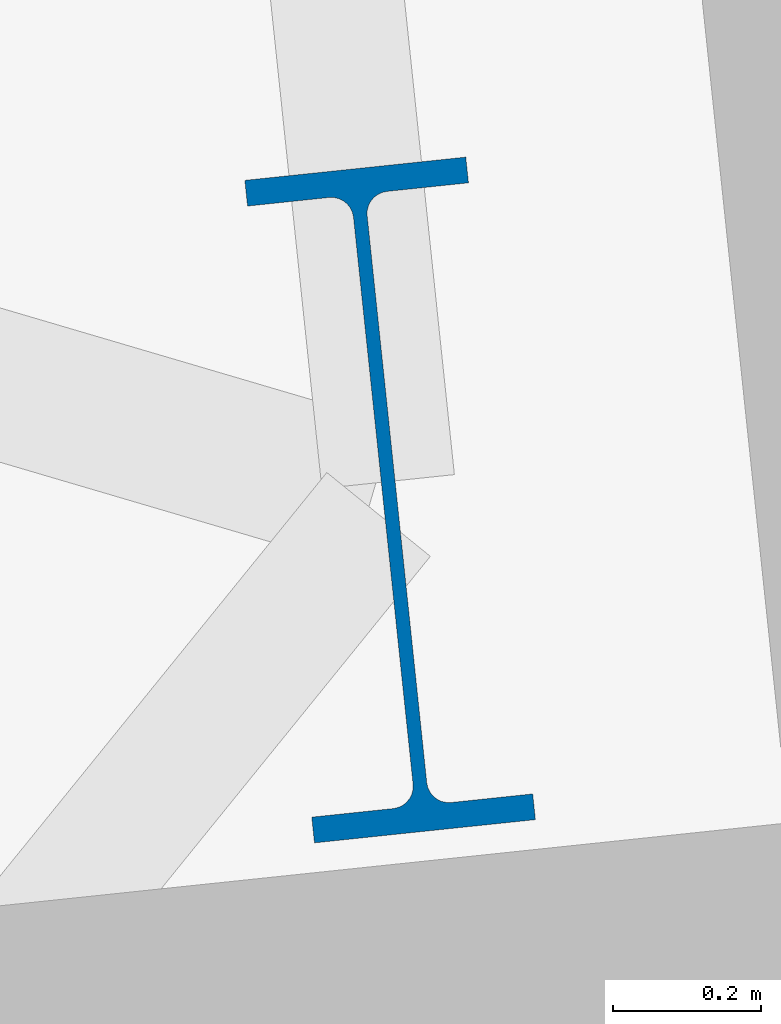
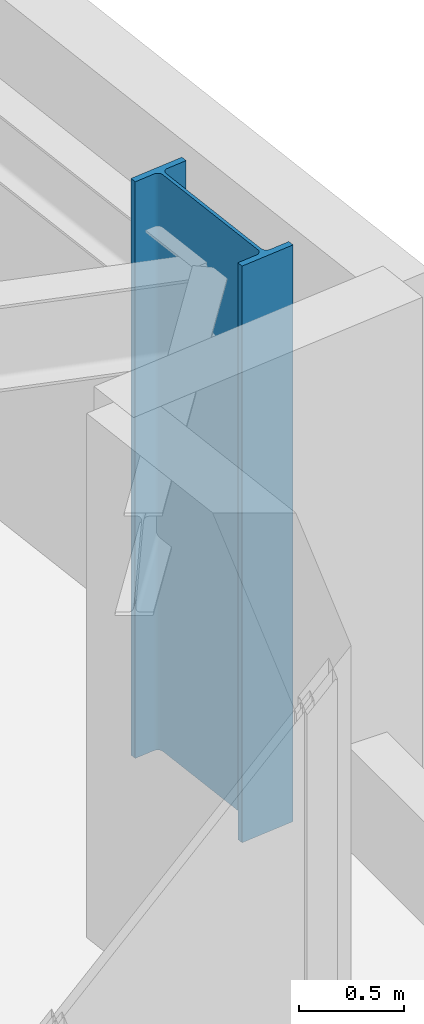
# One storey, part 3 of 20: 1 column.
"""IFC4 building model written with IfcOpenShell, lengths in metres."""

import ifcopenshell
import ifcopenshell.guid

model = None  # the IFC model being written
_history = None  # IfcOwnerHistory: only IFC2X3 demands one
_inside = {}  # id of a spatial element -> (the spatial element, [elements in it])
_under = {}  # id of a project, library or spatial element -> (it, [spatial elements below it])
_declared = {}  # id of a project -> (the project, [libraries it declares])
_typed = {}  # id of a type object -> (the type object, [elements of that type])
_made_of = {}  # id of a material, layer set ... -> (it, [elements and type objects made of it])


def new_model(schema):
    """Start an empty IFC model of exactly this schema.

    Asked for "IFC4X3", IfcOpenShell would pick the latest addendum, in which some entities
    have other attributes; the version numbers below select the first issue.
    IFC2X3 requires an IfcOwnerHistory on every rooted entity: one is made here for all.
    """
    global model, _history
    if schema == "IFC4X3":
        model = ifcopenshell.file(schema_version=(4, 3, 0, 0))
    else:
        model = ifcopenshell.file(schema=schema)
    _inside.clear()
    _under.clear()
    _declared.clear()
    _typed.clear()
    _made_of.clear()
    _history = None
    if model.schema == "IFC2X3":
        org = make("IfcOrganization", Name="unknown")
        user = make(
            "IfcPersonAndOrganization",
            ThePerson=make("IfcPerson", FamilyName="unknown"),
            TheOrganization=org,
        )
        app = make(
            "IfcApplication",
            ApplicationDeveloper=org,
            Version="unknown",
            ApplicationFullName="unknown",
            ApplicationIdentifier="unknown",
        )
        _history = make(
            "IfcOwnerHistory",
            OwningUser=user,
            OwningApplication=app,
            ChangeAction="ADDED",
            CreationDate=0,
        )
    return model


def make(cls, **values):
    """One entity of the class cls with the attributes given. An attribute that is None is left unset."""
    return model.create_entity(
        cls, **{name: value for name, value in values.items() if value is not None}
    )


def rooted(cls, **values):
    """An entity with a GlobalId (a new one), such as an element, a storey or a relation."""
    return make(cls, GlobalId=ifcopenshell.guid.new(), OwnerHistory=_history, **values)


def si_unit(unit_type, name, prefix=None):
    """IfcSIUnit, for example si_unit("LENGTHUNIT", "METRE", prefix="MILLI")."""
    return make("IfcSIUnit", UnitType=unit_type, Prefix=prefix, Name=name)


def assignment(units):
    """IfcUnitAssignment: the units of a project."""
    return None if units is None else make("IfcUnitAssignment", Units=units)


def point(xyz):
    """IfcCartesianPoint."""
    return None if xyz is None else make("IfcCartesianPoint", Coordinates=xyz)


def direction(xyz):
    """IfcDirection."""
    return None if xyz is None else make("IfcDirection", DirectionRatios=xyz)


def frame(location, z_axis=None, x_axis=None):
    """IfcAxis2Placement3D, a coordinate frame: its origin and axes. An axis left out is left unset."""
    return make(
        "IfcAxis2Placement3D",
        Location=point(location),
        Axis=direction(z_axis),
        RefDirection=direction(x_axis),
    )


def frame_2d(location, x_axis=None):
    """IfcAxis2Placement2D, a coordinate frame in the plane: its origin and x axis."""
    return make(
        "IfcAxis2Placement2D", Location=point(location), RefDirection=direction(x_axis)
    )


def origin():
    """The frame at (0, 0, 0) with its axes left unset."""
    return frame((0.0, 0.0, 0.0))


def origin_2d():
    """The frame at (0, 0) in the plane with its x axis left unset."""
    return frame_2d((0.0, 0.0))


def place(relative_to, where):
    """IfcLocalPlacement: puts the frame where relative to a parent placement (None: the world)."""
    return make(
        "IfcLocalPlacement", PlacementRelTo=relative_to, RelativePlacement=where
    )


def context(
    kind, dimensions, precision=None, world=None, true_north=None, identifier=None
):
    """IfcGeometricRepresentationContext, for example the 3D "Model" context."""
    return make(
        "IfcGeometricRepresentationContext",
        ContextIdentifier=identifier,
        ContextType=kind,
        CoordinateSpaceDimension=dimensions,
        Precision=precision,
        WorldCoordinateSystem=world,
        TrueNorth=true_north,
    )


def subcontext(parent, identifier, kind, view, scale=None):
    """IfcGeometricRepresentationSubContext, for example "Body" below "Model"."""
    return make(
        "IfcGeometricRepresentationSubContext",
        ContextIdentifier=identifier,
        ContextType=kind,
        ParentContext=parent,
        TargetScale=scale,
        TargetView=view,
    )


def project(units=None, contexts=None):
    """IfcProject with its units and contexts."""
    return rooted(
        "IfcProject",
        Name="project",
        RepresentationContexts=contexts,
        UnitsInContext=assignment(units),
    )


def spatial(cls, under=None, at=None, **own):
    """A site, building, storey or space (cls), placed at a placement, below another one or the project."""
    s = rooted(cls, ObjectPlacement=at, **own)
    if under is not None:
        _under.setdefault(under.id(), (under, []))[1].append(s)
    return s


def profile(cls, at=None, kind="AREA", **sizes):
    """A parametric profile (cls). Its sizes go by their IFC names, for example OverallWidth=200.0."""
    return make(cls, ProfileType=kind, Position=at, **sizes)


def i_section(**sizes):
    """IfcIShapeProfileDef."""
    return profile("IfcIShapeProfileDef", **sizes)


def extrude(swept, where, along, depth):
    """IfcExtrudedAreaSolid: the profile swept, set in the frame where, extruded along a direction by depth."""
    return make(
        "IfcExtrudedAreaSolid",
        SweptArea=swept,
        Position=where,
        ExtrudedDirection=direction(along),
        Depth=depth,
    )


def shape(context_of_items, identifier, shape_type, items):
    """IfcShapeRepresentation: the items that make up one representation, for example the "Body"."""
    return make(
        "IfcShapeRepresentation",
        ContextOfItems=context_of_items,
        RepresentationIdentifier=identifier,
        RepresentationType=shape_type,
        Items=items,
    )


def material(Name=None, Category=None):
    """IfcMaterial."""
    return make("IfcMaterial", Name=Name, Category=Category)


def material_profile(
    of_material, cross_section, Name=None, Category=None, Priority=None
):
    """IfcMaterialProfile: a cross section and its material."""
    return make(
        "IfcMaterialProfile",
        Name=Name,
        Material=of_material,
        Profile=cross_section,
        Priority=Priority,
        Category=Category,
    )


def profile_set(profiles, Name=None, composite=None):
    """IfcMaterialProfileSet."""
    return make(
        "IfcMaterialProfileSet",
        Name=Name,
        MaterialProfiles=profiles,
        CompositeProfile=composite,
    )


def made_of(thing, what):
    """Note that an element or type object is made of a material, layer set ...; save() writes the relation."""
    if what is not None:
        _made_of.setdefault(what.id(), (what, []))[1].append(thing)
    return thing


def type_object(cls, material=None, **own):
    """A type object (cls), such as IfcWallType, which elements share."""
    return made_of(rooted(cls, **own), material)


def element(
    cls,
    number,
    at=None,
    inside=None,
    cuts=None,
    type_object=None,
    material=None,
    context=None,
    identifier="Body",
    shape_type=None,
    held_by="IfcProductDefinitionShape",
    body=None,
    shapes=None,
    **own,
):
    """One element of the class cls, such as IfcWall. Its Tag is "e" and its number.

    at: its placement. inside: the storey or other place that contains it. cuts: it is an
    opening in that element (IfcRelVoidsElement). A single representation is given by context,
    identifier, shape_type and body (its items); several are given by shapes. held_by: the class
    of the entity that holds the representations. save() writes the other relations.
    """
    e = rooted(cls, Tag="e%d" % number, ObjectPlacement=at, **own)
    if body is not None:
        shapes = [shape(context, identifier, shape_type, body)]
    if shapes is not None:
        e.Representation = make(held_by, Representations=shapes)
    if inside is not None:
        _inside.setdefault(inside.id(), (inside, []))[1].append(e)
    if cuts is not None:
        rooted(
            "IfcRelVoidsElement", RelatingBuildingElement=cuts, RelatedOpeningElement=e
        )
    if type_object is not None:
        _typed.setdefault(type_object.id(), (type_object, []))[1].append(e)
    return made_of(e, material)


def aggregate(whole, parts):
    """IfcRelAggregates: a whole, such as a stair, and the parts it consists of."""
    return rooted("IfcRelAggregates", RelatingObject=whole, RelatedObjects=parts)


def save(model, path):
    """Write the relations noted so far, then the file.

    IfcRelAggregates (storeys below a building ...), IfcRelContainedInSpatialStructure (elements
    in a storey), IfcRelDefinesByType, IfcRelAssociatesMaterial and IfcRelDeclares: one each for
    every whole, place, type object, material and project.
    """
    for whole, parts in _under.values():
        aggregate(whole, parts)
    for where, things in _inside.values():
        rooted(
            "IfcRelContainedInSpatialStructure",
            RelatedElements=things,
            RelatingStructure=where,
        )
    for kind, things in _typed.values():
        rooted("IfcRelDefinesByType", RelatedObjects=things, RelatingType=kind)
    for what, things in _made_of.values():
        rooted("IfcRelAssociatesMaterial", RelatedObjects=things, RelatingMaterial=what)
    for by, libraries in _declared.values():
        rooted("IfcRelDeclares", RelatingContext=by, RelatedDefinitions=libraries)
    model.write(path)


model = new_model("IFC4")

# Units and contexts
model_context = context("Model", 3, precision=1e-05, world=origin(), true_north=direction((0.0, 1.0)))
body_context = subcontext(model_context, "Body", "Model", "MODEL_VIEW")
ifc_project = project(units=[si_unit("LENGTHUNIT", "METRE"), si_unit("AREAUNIT", "SQUARE_METRE"), si_unit("VOLUMEUNIT", "CUBIC_METRE"), si_unit("PLANEANGLEUNIT", "RADIAN"), si_unit("MASSUNIT", "GRAM", prefix="KILO")], contexts=[model_context])

# Site, building, storey
site_placement = place(None, origin())
site = spatial("IfcSite", under=ifc_project, at=site_placement, CompositionType="ELEMENT")
building_placement = place(site_placement, origin())
building = spatial("IfcBuilding", under=site, at=building_placement, Name="Qobustan Lattice House", CompositionType="ELEMENT")
storey_placement = place(building_placement, frame((0.0, 0.0, 79.0)))
storey = spatial("IfcBuildingStorey", under=building, at=storey_placement, Name="L21", CompositionType="ELEMENT", Elevation=79.0)

# Column
ifc_material = material(Name="Steel S355", Category="steel")
ifc_material_profile = material_profile(ifc_material, i_section(OverallWidth=0.300048828125, OverallDepth=0.89990234375, WebThickness=0.0185546875, FlangeThickness=0.034912109375, FilletRadius=0.030029296875, at=origin_2d()), Name="HEB900")
ifc_profile_set = profile_set([ifc_material_profile], Name="Steel S355")
column_type = type_object("IfcColumnType", Name="COL-ST-HEB900", PredefinedType="COLUMN", material=ifc_profile_set)
column_placement = place(storey_placement, frame((32.618896484375, -9.67041015625, 0.0), z_axis=(0.0, 0.0, 1.0), x_axis=(0.994521895368, 0.104528463268, 0.0)))
element("IfcColumn", 1, at=column_placement, inside=storey, type_object=column_type, Name="L21 B2 perimeter column E1", PredefinedType="COLUMN", context=body_context, shape_type="SweptSolid", body=[
    extrude(i_section(OverallWidth=0.300048828125, OverallDepth=0.89990234375, WebThickness=0.0185546875, FlangeThickness=0.034912109375, FilletRadius=0.030029296875, at=origin_2d()), origin(), (0.0, 0.0, 1.0), 3.35009765625),
])

save(model, "model.ifc")
